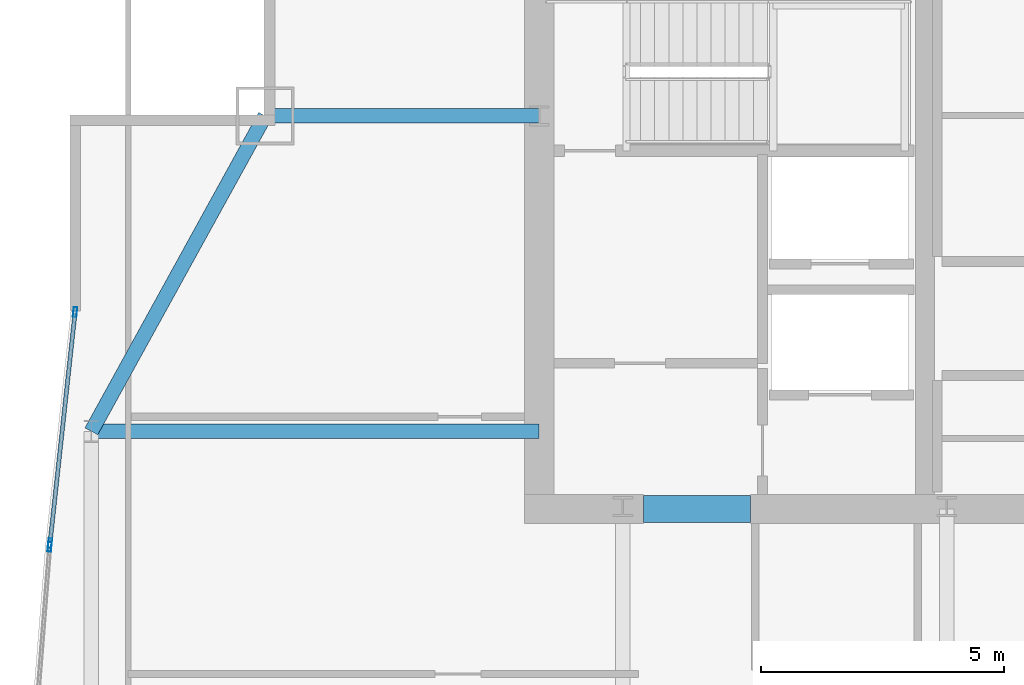
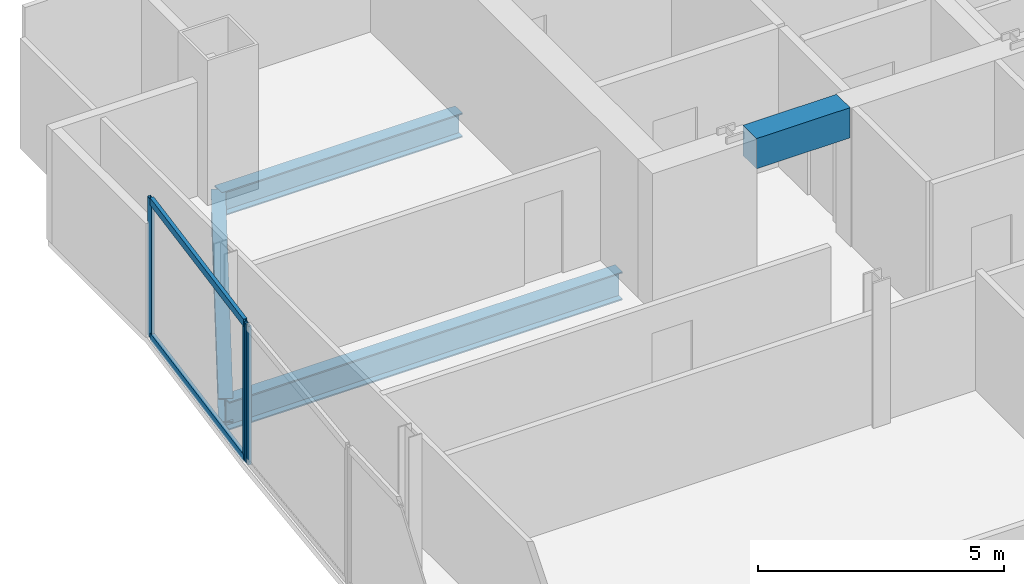
# One storey, part 22 of 32: 5 members, 4 beams, 2 elements without a shape of their own.
"""IFC4 building model written with IfcOpenShell, lengths in metres."""

from ifc_helpers import new_model, si_unit, direction, frame, origin, origin_2d, place, context, subcontext, project, spatial, rectangle, hollow_rectangle, i_section, extrude, material, material_profile, profile_set, type_object, element, aggregate, save


model = new_model("IFC4")

# Units and contexts
model_context = context("Model", 3, precision=1e-05, world=origin(), true_north=direction((0.0, 1.0)))
body_context = subcontext(model_context, "Body", "Model", "MODEL_VIEW")
ifc_project = project(units=[si_unit("LENGTHUNIT", "METRE"), si_unit("AREAUNIT", "SQUARE_METRE"), si_unit("VOLUMEUNIT", "CUBIC_METRE"), si_unit("PLANEANGLEUNIT", "RADIAN"), si_unit("MASSUNIT", "GRAM", prefix="KILO")], contexts=[model_context])

# Site, building, storey
site_placement = place(None, origin())
site = spatial("IfcSite", under=ifc_project, at=site_placement, CompositionType="ELEMENT")
building_placement = place(site_placement, origin())
building = spatial("IfcBuilding", under=site, at=building_placement, Name="Khoronbel Lancet Exchange", CompositionType="ELEMENT")
storey_placement = place(building_placement, frame((0.0, 0.0, 192.199951171875)))
storey = spatial("IfcBuildingStorey", under=building, at=storey_placement, Name="L48", CompositionType="ELEMENT", Elevation=192.199951171875)

# Beams
ifc_material_1 = material(Name="Steel S355", Category="steel")
ifc_material_profile_1 = material_profile(ifc_material_1, i_section(OverallWidth=0.300048828125, OverallDepth=0.699951171875, WebThickness=0.01708984375, FlangeThickness=0.031982421875, at=origin_2d()), Name="HEB 700")
ifc_profile_set_1 = profile_set([ifc_material_profile_1], Name="Steel S355")
beam_type_1 = type_object("IfcBeamType", Name="BM-BG3", PredefinedType="BEAM", material=ifc_profile_set_1)
beam_1_placement = place(storey_placement, frame((7.27001953125, 43.199951171875, -0.510009765625), z_axis=(1.0, 0.0, 0.0), x_axis=(0.0, 1.0, 0.0)))
element("IfcBeam", 1, at=beam_1_placement, inside=storey, type_object=beam_type_1, Name="Level L48 west lens tie girder LG3W", PredefinedType="BEAM", context=body_context, shape_type="SweptSolid", body=[
    extrude(i_section(OverallWidth=0.300048828125, OverallDepth=0.699951171875, WebThickness=0.01708984375, FlangeThickness=0.031982421875, at=origin_2d()), origin(), (0.0, 0.0, 1.0), 9.22998046875),
])
ifc_material_2 = material(Name="Concrete C60/75", Category="concrete")
ifc_material_profile_2 = material_profile(ifc_material_2, rectangle(XDim=0.550048828125, YDim=0.75, at=origin_2d()), Name="RC 550x750")
ifc_profile_set_2 = profile_set([ifc_material_profile_2], Name="Concrete C60/75")
beam_type_2 = type_object("IfcBeamType", Name="BM-BL2", PredefinedType="LINTEL", material=ifc_profile_set_2)
beam_2_placement = place(storey_placement, frame((18.64990234375, 41.60009765625, 3.06494140625), z_axis=(1.0, 0.0, 0.0), x_axis=(0.0, 1.0, 0.0)))
element("IfcBeam", 2, at=beam_2_placement, inside=storey, type_object=beam_type_2, Name="Level L48 rear core coupling lintel L1", PredefinedType="LINTEL", context=body_context, shape_type="SweptSolid", body=[
    extrude(rectangle(XDim=0.550048828125, YDim=0.75, at=origin_2d()), origin(), (0.0, 0.0, 1.0), 2.2001953125),
])
ifc_material_profile_3 = material_profile(ifc_material_1, i_section(OverallWidth=0.300048828125, OverallDepth=0.60009765625, WebThickness=0.015380859375, FlangeThickness=0.030029296875, at=origin_2d()), Name="HEB 600")
ifc_profile_set_3 = profile_set([ifc_material_profile_3], Name="Steel S355")
beam_type_3 = type_object("IfcBeamType", Name="BM-BSP2", PredefinedType="SPANDREL", material=ifc_profile_set_3)
beam_3_placement = place(storey_placement, frame((10.85009765625, 49.699951171875, -0.4599609375), z_axis=(-0.482444051088, -0.875926787791, 0.0), x_axis=(0.875926787791, -0.482444051088, 0.0)))
element("IfcBeam", 3, at=beam_3_placement, inside=storey, type_object=beam_type_3, Name="Level L48 perimeter spandrel beam SP16", PredefinedType="SPANDREL", context=body_context, shape_type="SweptSolid", body=[
    extrude(i_section(OverallWidth=0.300048828125, OverallDepth=0.60009765625, WebThickness=0.015380859375, FlangeThickness=0.030029296875, at=origin_2d()), origin(), (0.0, 0.0, 1.0), 7.420654296875),
])
beam_4_placement = place(storey_placement, frame((10.85009765625, 49.699951171875, -0.4599609375), z_axis=(1.0, 0.0, 0.0), x_axis=(0.0, 1.0, 0.0)))
element("IfcBeam", 4, at=beam_4_placement, inside=storey, type_object=beam_type_3, Name="Level L48 north flank tie spandrel SP22", PredefinedType="SPANDREL", context=body_context, shape_type="SweptSolid", body=[
    extrude(i_section(OverallWidth=0.300048828125, OverallDepth=0.60009765625, WebThickness=0.015380859375, FlangeThickness=0.030029296875, at=origin_2d()), origin(), (0.0, 0.0, 1.0), 5.64990234375),
])

# Curtain wall, member
ifc_material_3 = material(Name="Low-E Solar Control Insulating Glass", Category="glass")
curtain_wall_type = type_object("IfcCurtainWallType", Name="CW-4", PredefinedType="NOTDEFINED", material=ifc_material_3)
curtain_wall_1_placement = place(storey_placement, origin())
curtain_wall_1 = element("IfcCurtainWall", 5, at=curtain_wall_1_placement, inside=storey, type_object=curtain_wall_type, Name="Unitised curtain wall CW-L48-E08", PredefinedType="NOTDEFINED")
ifc_material_4 = material(Name="Bronze-Anodised Aluminium 6063-T6", Category="aluminium")
ifc_material_profile_4 = material_profile(ifc_material_4, hollow_rectangle(XDim=0.074951171875, YDim=0.199951171875, WallThickness=0.0048828125, at=origin_2d()), Name="ALU MULLION 75x200")
ifc_profile_set_4 = profile_set([ifc_material_profile_4], Name="Bronze-Anodised Aluminium 6063-T6")
member_type_1 = type_object("IfcMemberType", Name="MEM-CWM2", PredefinedType="MULLION", material=ifc_profile_set_4)
member_1_placement = place(storey_placement, frame((6.41162109375, 40.82080078125, 0.0), z_axis=(0.0, 0.0, 1.0), x_axis=(-0.996854401909, 0.079254661653, 0.0)))
member_1 = element("IfcMember", 6, at=member_1_placement, type_object=member_type_1, Name="CW4 mullion 2", PredefinedType="MULLION", context=body_context, shape_type="SweptSolid", body=[
    extrude(hollow_rectangle(XDim=0.074951171875, YDim=0.199951171875, WallThickness=0.0048828125, at=origin_2d()), origin(), (0.0, 0.0, 1.0), 3.43994140625),
])
aggregate(curtain_wall_1, [member_1])

# Curtain wall, members
curtain_wall_2_placement = place(storey_placement, origin())
curtain_wall_2 = element("IfcCurtainWall", 7, at=curtain_wall_2_placement, inside=storey, type_object=curtain_wall_type, Name="Unitised curtain wall CW-L48-E09", PredefinedType="NOTDEFINED")
member_2_placement = place(storey_placement, frame((6.418701171875, 40.8955078125, 0.0), z_axis=(0.0, 0.0, 1.0), x_axis=(-0.994151948799, 0.107990289834, 0.0)))
member_2 = element("IfcMember", 8, at=member_2_placement, type_object=member_type_1, Name="CW4 mullion 1", PredefinedType="MULLION", context=body_context, shape_type="SweptSolid", body=[
    extrude(hollow_rectangle(XDim=0.074951171875, YDim=0.199951171875, WallThickness=0.0048828125, at=origin_2d()), origin(), (0.0, 0.0, 1.0), 3.43994140625),
])
member_3_placement = place(storey_placement, frame((6.93603515625, 45.65771484375, 0.0), z_axis=(0.0, 0.0, 1.0), x_axis=(-0.994151948799, 0.107990289834, 0.0)))
member_3 = element("IfcMember", 9, at=member_3_placement, type_object=member_type_1, Name="CW4 mullion 2", PredefinedType="MULLION", context=body_context, shape_type="SweptSolid", body=[
    extrude(hollow_rectangle(XDim=0.074951171875, YDim=0.199951171875, WallThickness=0.0048828125, at=origin_2d()), origin(), (0.0, 0.0, 1.0), 3.43994140625),
])
ifc_material_profile_5 = material_profile(ifc_material_4, hollow_rectangle(XDim=0.0849609375, YDim=0.179931640625, WallThickness=0.0048828125, at=origin_2d()), Name="ALU TRANSOM 85x180")
ifc_profile_set_5 = profile_set([ifc_material_profile_5], Name="Bronze-Anodised Aluminium 6063-T6")
member_type_2 = type_object("IfcMemberType", Name="MEM-CWT1", PredefinedType="USERDEFINED", material=ifc_profile_set_5)
member_4_placement = place(storey_placement, frame((6.422607421875, 40.932861328125, 0.04248046875), z_axis=(0.108004671949, 0.994150386429, 0.0), x_axis=(-0.994150386429, 0.108004671949, 0.0)))
member_4 = element("IfcMember", 10, at=member_4_placement, type_object=member_type_2, Name="CW4 transom 1.1", ObjectType="TRANSOM", PredefinedType="USERDEFINED", context=body_context, shape_type="SweptSolid", body=[
    extrude(hollow_rectangle(XDim=0.0849609375, YDim=0.179931640625, WallThickness=0.0048828125, at=origin_2d()), origin(), (0.0, 0.0, 1.0), 4.71533203125),
])
member_5_placement = place(storey_placement, frame((6.422607421875, 40.932861328125, 3.3974609375), z_axis=(0.108004671949, 0.994150386429, 0.0), x_axis=(-0.994150386429, 0.108004671949, 0.0)))
member_5 = element("IfcMember", 11, at=member_5_placement, type_object=member_type_2, Name="CW4 transom 1.2", ObjectType="TRANSOM", PredefinedType="USERDEFINED", context=body_context, shape_type="SweptSolid", body=[
    extrude(hollow_rectangle(XDim=0.0849609375, YDim=0.179931640625, WallThickness=0.0048828125, at=origin_2d()), origin(), (0.0, 0.0, 1.0), 4.71533203125),
])
aggregate(curtain_wall_2, [member_2, member_3, member_4, member_5])

save(model, "model.ifc")
